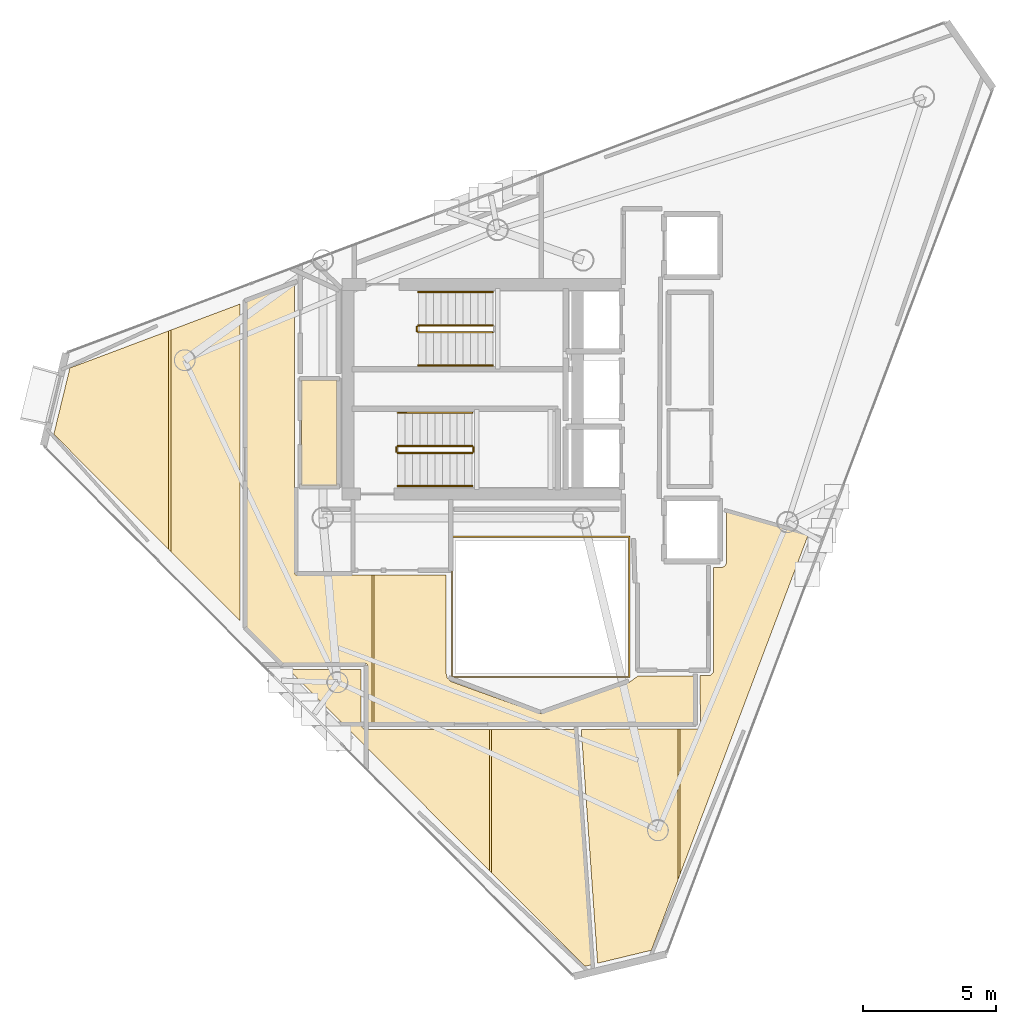
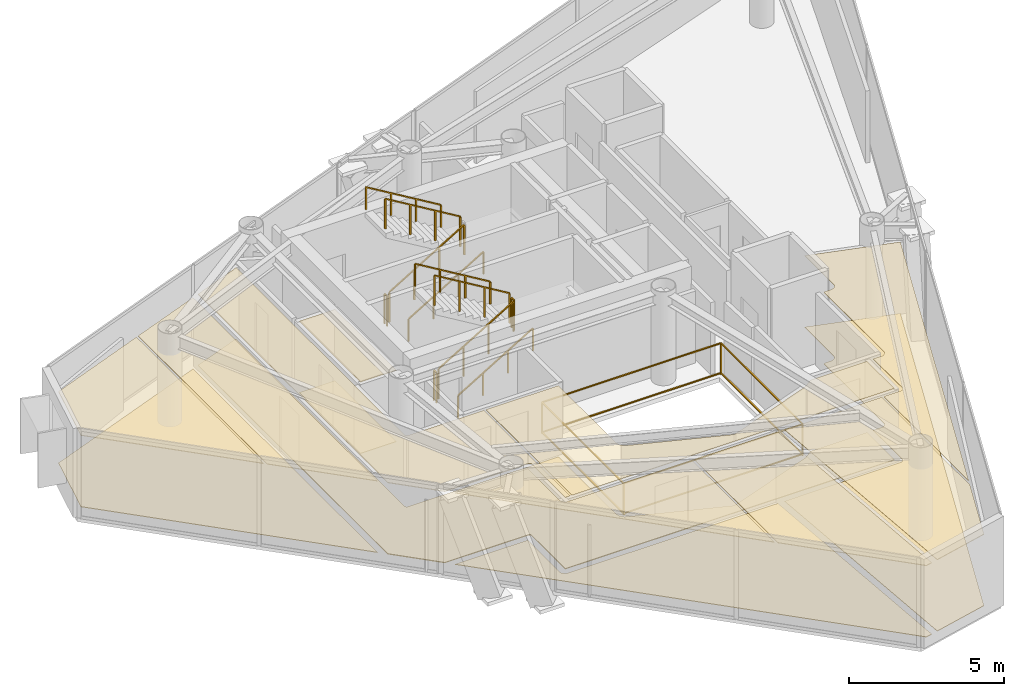
# One storey, part 18 of 19: 14 coverings, 12 railings.
"""IFC4 building model written with IfcOpenShell, lengths in metres."""

from ifc_helpers import new_model, si_unit, direction, frame, origin, origin_2d, place, context, subcontext, project, spatial, polyline, rectangle, outline, extrude, material, layer, layer_set, type_object, element, save


model = new_model("IFC4")

# Units and contexts
model_context = context("Model", 3, precision=1e-05, world=origin(), true_north=direction((0.0, 1.0)))
body_context = subcontext(model_context, "Body", "Model", "MODEL_VIEW")
ifc_project = project(units=[si_unit("LENGTHUNIT", "METRE"), si_unit("AREAUNIT", "SQUARE_METRE"), si_unit("VOLUMEUNIT", "CUBIC_METRE"), si_unit("PLANEANGLEUNIT", "RADIAN"), si_unit("MASSUNIT", "GRAM", prefix="KILO")], contexts=[model_context])

# Site, building, storey
site_placement = place(None, origin())
site = spatial("IfcSite", under=ifc_project, at=site_placement, CompositionType="ELEMENT")
building_placement = place(site_placement, origin())
building = spatial("IfcBuilding", under=site, at=building_placement, Name="Qianvela Tower", CompositionType="ELEMENT")
storey_placement = place(building_placement, frame((0.0, 0.0, 340.699951171875)))
storey = spatial("IfcBuildingStorey", under=building, at=storey_placement, Name="L88", CompositionType="ELEMENT", Elevation=340.699951171875)

# Coverings
ifc_material_1 = material(Name="Perforated Mineral Acoustic Ceiling Tile")
ifc_layer_1 = layer(ifc_material_1, 0.02490234375)
ifc_layer_set_1 = layer_set([ifc_layer_1], Name="Perforated Mineral Acoustic Ceiling Tile")
covering_type_1 = type_object("IfcCoveringType", Name="COV-CEIL-ACOUSTIC-25", PredefinedType="CEILING", material=ifc_layer_set_1)
covering_1_placement = place(storey_placement, frame((0.0, 0.0, 2.81494140625)))
element("IfcCovering", 1, at=covering_1_placement, inside=storey, type_object=covering_type_1, Name="L88 Acoustic Ceiling L88 Core Tea Pantry West", PredefinedType="CEILING", context=body_context, shape_type="SweptSolid", body=[
    extrude(outline(polyline([(27.800048828125, 25.080078125), (27.800048828125, 29.0400390625), (29.139892578125, 29.0400390625), (29.139892578125, 25.080078125), (27.800048828125, 25.080078125)])), origin(), (0.0, 0.0, 1.0), 0.025146484375),
])
covering_2_placement = place(storey_placement, frame((0.0, 0.0, 2.81494140625)))
element("IfcCovering", 2, at=covering_2_placement, inside=storey, type_object=covering_type_1, Name="L88 Acoustic Ceiling Bay 1 L88 Floor Corridor", PredefinedType="CEILING", context=body_context, shape_type="SweptSolid", body=[
    extrude(outline(polyline([(30.280029296875, 16.1298828125), (30.280029296875, 18.300048828125), (30.279541015625, 18.307861328125), (30.278564453125, 18.315673828125), (30.276611328125, 18.3232421875), (30.27392578125, 18.33056640625), (30.2705078125, 18.337646484375), (30.2666015625, 18.344482421875), (30.26171875, 18.350830078125), (30.256591796875, 18.356689453125), (30.250732421875, 18.36181640625), (30.244384765625, 18.366455078125), (30.23779296875, 18.37060546875), (30.230712890625, 18.373779296875), (30.22314453125, 18.376708984375), (30.215576171875, 18.37841796875), (30.207763671875, 18.379638671875), (30.199951171875, 18.3798828125), (27.07861328125, 18.3798828125), (25.72998046875, 19.73046875), (25.72998046875, 31.99609375), (27.5400390625, 32.6767578125), (27.5400390625, 21.780029296875), (27.540283203125, 21.772216796875), (27.54150390625, 21.764404296875), (27.54345703125, 21.7568359375), (27.546142578125, 21.74951171875), (27.54931640625, 21.7421875), (27.553466796875, 21.735595703125), (27.55810546875, 21.729248046875), (27.5634765625, 21.723388671875), (27.569091796875, 21.71826171875), (27.57568359375, 21.71337890625), (27.582275390625, 21.70947265625), (27.58935546875, 21.7060546875), (27.5966796875, 21.703369140625), (27.6044921875, 21.701416015625), (27.6123046875, 21.700439453125), (27.6201171875, 21.699951171875), (30.454833984375, 21.699951171875), (30.454833984375, 16.1298828125), (30.280029296875, 16.1298828125)])), origin(), (0.0, 0.0, 1.0), 0.025146484375),
])
covering_3_placement = place(storey_placement, frame((0.0, 0.0, 2.81494140625)))
element("IfcCovering", 3, at=covering_3_placement, inside=storey, type_object=covering_type_1, Name="L88 Acoustic Ceiling Bay 2 L88 Floor Corridor", PredefinedType="CEILING", context=body_context, shape_type="SweptSolid", body=[
    extrude(outline(polyline([(36.780517578125, 16.48046875), (36.7880859375, 16.47900390625), (36.7958984375, 16.47802734375), (36.8037109375, 16.47802734375), (36.811767578125, 16.47900390625), (36.8193359375, 16.48046875), (36.826904296875, 16.482666015625), (40.134033203125, 17.666015625), (40.140869140625, 17.668701171875), (40.1474609375, 17.672119140625), (40.153564453125, 17.676025390625), (40.458740234375, 17.89306640625), (42.570068359375, 17.899658203125), (42.570068359375, 16.1298828125), (30.534912109375, 16.1298828125), (30.534912109375, 21.699951171875), (33.239990234375, 21.699951171875), (33.239990234375, 18.0), (33.240478515625, 17.990234375), (33.242431640625, 17.980712890625), (33.275390625, 17.8486328125), (33.277587890625, 17.841064453125), (33.28076171875, 17.833740234375), (33.284423828125, 17.826904296875), (33.288818359375, 17.8203125), (33.293701171875, 17.814208984375), (33.38525390625, 17.71337890625), (33.390625, 17.7080078125), (33.396728515625, 17.702880859375), (33.4033203125, 17.698486328125), (33.41015625, 17.69482421875), (33.417236328125, 17.69189453125), (36.77294921875, 16.482666015625), (36.780517578125, 16.48046875)])), origin(), (0.0, 0.0, 1.0), 0.025146484375),
])
covering_4_placement = place(storey_placement, frame((0.0, 0.0, 2.81494140625)))
element("IfcCovering", 4, at=covering_4_placement, inside=storey, type_object=covering_type_1, Name="L88 Acoustic Ceiling Bay 1 Student Reading Library L88-01", PredefinedType="CEILING", context=body_context, shape_type="SweptSolid", body=[
    extrude(outline(polyline([(30.0400390625, 18.139892578125), (30.0400390625, 16.050048828125), (30.040283203125, 16.042236328125), (30.04150390625, 16.034423828125), (30.04345703125, 16.02685546875), (30.046142578125, 16.019287109375), (30.04931640625, 16.01220703125), (30.053466796875, 16.005615234375), (30.05810546875, 15.999267578125), (30.12255859375, 15.9208984375), (30.127685546875, 15.9150390625), (30.133544921875, 15.90966796875), (30.139892578125, 15.905029296875), (30.146728515625, 15.90087890625), (30.15380859375, 15.897705078125), (30.1611328125, 15.89501953125), (30.168701171875, 15.89306640625), (30.176513671875, 15.891845703125), (30.184326171875, 15.8916015625), (34.879150390625, 15.890625), (34.879150390625, 10.568359375), (27.318115234375, 18.139892578125), (30.0400390625, 18.139892578125)])), origin(), (0.0, 0.0, 1.0), 0.025146484375),
])
covering_5_placement = place(storey_placement, frame((0.0, 0.0, 2.81494140625)))
element("IfcCovering", 5, at=covering_5_placement, inside=storey, type_object=covering_type_1, Name="L88 Acoustic Ceiling Bay 2 Student Reading Library L88-01", PredefinedType="CEILING", context=body_context, shape_type="SweptSolid", body=[
    extrude(outline(polyline([(38.084716796875, 15.889892578125), (38.70458984375, 7.0263671875), (38.472412109375, 6.97021484375), (34.959228515625, 10.48828125), (34.959228515625, 15.890625), (38.084716796875, 15.889892578125)])), origin(), (0.0, 0.0, 1.0), 0.025146484375),
])
covering_6_placement = place(storey_placement, frame((0.0, 0.0, 2.81494140625)))
element("IfcCovering", 6, at=covering_6_placement, inside=storey, type_object=covering_type_1, Name="L88 Acoustic Ceiling Bay 1 Media Practice Cinema L88-02", PredefinedType="CEILING", context=body_context, shape_type="SweptSolid", body=[
    extrude(outline(polyline([(41.9638671875, 15.9052734375), (41.9638671875, 10.20751953125), (40.96923828125, 7.5732421875), (38.945068359375, 7.08447265625), (38.3291015625, 15.890380859375), (41.9638671875, 15.9052734375)])), origin(), (0.0, 0.0, 1.0), 0.025146484375),
])
covering_7_placement = place(storey_placement, frame((0.0, 0.0, 2.81494140625)))
element("IfcCovering", 7, at=covering_7_placement, inside=storey, type_object=covering_type_1, Name="L88 Acoustic Ceiling Bay 2 Media Practice Cinema L88-02", PredefinedType="CEILING", context=body_context, shape_type="SweptSolid", body=[
    extrude(outline(polyline([(42.701171875, 15.908203125), (42.709228515625, 15.90869140625), (42.71728515625, 15.909912109375), (42.72509765625, 15.912109375), (42.73291015625, 15.914794921875), (42.740234375, 15.918701171875), (42.7470703125, 15.9228515625), (42.75341796875, 15.927978515625), (42.759521484375, 15.93359375), (42.7646484375, 15.93994140625), (42.769287109375, 15.94677734375), (42.773193359375, 15.9541015625), (42.80224609375, 16.015869140625), (42.80517578125, 16.022216796875), (42.80712890625, 16.029052734375), (42.808837890625, 16.035888671875), (42.809814453125, 16.04296875), (42.81005859375, 16.050048828125), (42.8076171875, 17.920166015625), (43.157958984375, 17.92041015625), (43.165771484375, 17.9208984375), (43.173583984375, 17.921875), (43.18115234375, 17.923828125), (43.1884765625, 17.926513671875), (43.195556640625, 17.9296875), (43.202392578125, 17.933837890625), (43.20849609375, 17.938720703125), (43.21435546875, 17.94384765625), (43.2861328125, 18.015625), (43.29150390625, 18.021484375), (43.296142578125, 18.027587890625), (43.30029296875, 18.034423828125), (43.303466796875, 18.04150390625), (43.30615234375, 18.048828125), (43.30810546875, 18.056640625), (43.30908203125, 18.064208984375), (43.3095703125, 18.072265625), (43.309326171875, 21.980712890625), (43.60791015625, 21.982666015625), (43.615478515625, 21.983154296875), (43.623291015625, 21.984375), (43.630859375, 21.986083984375), (43.637939453125, 21.98876953125), (43.64501953125, 21.9921875), (43.716796875, 22.030517578125), (43.723388671875, 22.034423828125), (43.729736328125, 22.039306640625), (43.735595703125, 22.04443359375), (43.74072265625, 22.05029296875), (43.74560546875, 22.056640625), (43.74951171875, 22.063232421875), (43.787841796875, 22.135009765625), (43.791259765625, 22.14208984375), (43.7939453125, 22.1494140625), (43.7958984375, 22.156982421875), (43.796875, 22.164794921875), (43.79736328125, 22.172607421875), (43.7998046875, 24.066650390625), (46.865234375, 23.1875), (42.0439453125, 10.419189453125), (42.0439453125, 15.905517578125), (42.701171875, 15.908203125)])), origin(), (0.0, 0.0, 1.0), 0.025146484375),
])
covering_8_placement = place(storey_placement, frame((0.0, 0.0, 2.81494140625)))
element("IfcCovering", 8, at=covering_8_placement, inside=storey, type_object=covering_type_1, Name="L88 Acoustic Ceiling Bay 1 Panoramic Study Lounge L88-03", PredefinedType="CEILING", context=body_context, shape_type="SweptSolid", body=[
    extrude(outline(polyline([(18.4716796875, 26.998779296875), (19.077880859375, 29.494873046875), (22.79443359375, 30.892333984375), (22.79443359375, 22.670166015625), (18.4716796875, 26.998779296875)])), origin(), (0.0, 0.0, 1.0), 0.025146484375),
])
covering_9_placement = place(storey_placement, frame((0.0, 0.0, 2.81494140625)))
element("IfcCovering", 9, at=covering_9_placement, inside=storey, type_object=covering_type_1, Name="L88 Acoustic Ceiling Bay 2 Panoramic Study Lounge L88-03", PredefinedType="CEILING", context=body_context, shape_type="SweptSolid", body=[
    extrude(outline(polyline([(25.489990234375, 19.970703125), (22.87451171875, 22.590087890625), (22.87451171875, 30.92236328125), (25.489990234375, 31.906005859375), (25.489990234375, 19.970703125)])), origin(), (0.0, 0.0, 1.0), 0.025146484375),
])
ifc_material_2 = material(Name="Engineered Acoustic Oak Timber Flooring", Category="wood")
ifc_layer_2 = layer(ifc_material_2, 0.02001953125)
ifc_layer_set_2 = layer_set([ifc_layer_2], Name="Engineered Acoustic Oak Timber Flooring")
covering_type_2 = type_object("IfcCoveringType", Name="COV-FLOOR-OAK-20", PredefinedType="FLOORING", material=ifc_layer_set_2)
covering_10_placement = place(storey_placement, origin())
element("IfcCovering", 10, at=covering_10_placement, inside=storey, type_object=covering_type_2, Name="L88 Finish Flooring L88 Core Tea Pantry West", PredefinedType="FLOORING", context=body_context, shape_type="SweptSolid", body=[
    extrude(outline(polyline([(27.800048828125, 25.080078125), (27.800048828125, 29.0400390625), (29.139892578125, 29.0400390625), (29.139892578125, 25.080078125), (27.800048828125, 25.080078125)])), origin(), (0.0, 0.0, 1.0), 0.02001953125),
])
covering_11_placement = place(storey_placement, origin())
element("IfcCovering", 11, at=covering_11_placement, inside=storey, type_object=covering_type_2, Name="L88 Finish Flooring Student Reading Library L88-01", PredefinedType="FLOORING", context=body_context, shape_type="SweptSolid", body=[
    extrude(outline(polyline([(27.318115234375, 18.139892578125), (30.0400390625, 18.139892578125), (30.0400390625, 16.050048828125), (30.040283203125, 16.042236328125), (30.04150390625, 16.034423828125), (30.04345703125, 16.02685546875), (30.046142578125, 16.019287109375), (30.04931640625, 16.01220703125), (30.053466796875, 16.005615234375), (30.05810546875, 15.999267578125), (30.12255859375, 15.9208984375), (30.127685546875, 15.9150390625), (30.133544921875, 15.90966796875), (30.139892578125, 15.905029296875), (30.146728515625, 15.90087890625), (30.15380859375, 15.897705078125), (30.1611328125, 15.89501953125), (30.168701171875, 15.89306640625), (30.176513671875, 15.891845703125), (30.184326171875, 15.8916015625), (38.084716796875, 15.889892578125), (38.70458984375, 7.0263671875), (38.472412109375, 6.97021484375), (27.318115234375, 18.139892578125)])), origin(), (0.0, 0.0, 1.0), 0.02001953125),
])
covering_12_placement = place(storey_placement, origin())
element("IfcCovering", 12, at=covering_12_placement, inside=storey, type_object=covering_type_2, Name="L88 Finish Flooring Media Practice Cinema L88-02", PredefinedType="FLOORING", context=body_context, shape_type="SweptSolid", body=[
    extrude(outline(polyline([(38.3291015625, 15.890380859375), (42.701171875, 15.908203125), (42.709228515625, 15.90869140625), (42.71728515625, 15.909912109375), (42.72509765625, 15.912109375), (42.73291015625, 15.914794921875), (42.740234375, 15.918701171875), (42.7470703125, 15.9228515625), (42.75341796875, 15.927978515625), (42.759521484375, 15.93359375), (42.7646484375, 15.93994140625), (42.769287109375, 15.94677734375), (42.773193359375, 15.9541015625), (42.80224609375, 16.015869140625), (42.80517578125, 16.022216796875), (42.80712890625, 16.029052734375), (42.808837890625, 16.035888671875), (42.809814453125, 16.04296875), (42.81005859375, 16.050048828125), (42.8076171875, 17.920166015625), (43.157958984375, 17.92041015625), (43.165771484375, 17.9208984375), (43.173583984375, 17.921875), (43.18115234375, 17.923828125), (43.1884765625, 17.926513671875), (43.195556640625, 17.9296875), (43.202392578125, 17.933837890625), (43.20849609375, 17.938720703125), (43.21435546875, 17.94384765625), (43.2861328125, 18.015625), (43.29150390625, 18.021484375), (43.296142578125, 18.027587890625), (43.30029296875, 18.034423828125), (43.303466796875, 18.04150390625), (43.30615234375, 18.048828125), (43.30810546875, 18.056640625), (43.30908203125, 18.064208984375), (43.3095703125, 18.072265625), (43.309326171875, 21.980712890625), (43.60791015625, 21.982666015625), (43.615478515625, 21.983154296875), (43.623291015625, 21.984375), (43.630859375, 21.986083984375), (43.637939453125, 21.98876953125), (43.64501953125, 21.9921875), (43.716796875, 22.030517578125), (43.723388671875, 22.034423828125), (43.729736328125, 22.039306640625), (43.735595703125, 22.04443359375), (43.74072265625, 22.05029296875), (43.74560546875, 22.056640625), (43.74951171875, 22.063232421875), (43.787841796875, 22.135009765625), (43.791259765625, 22.14208984375), (43.7939453125, 22.1494140625), (43.7958984375, 22.156982421875), (43.796875, 22.164794921875), (43.79736328125, 22.172607421875), (43.7998046875, 24.066650390625), (46.865234375, 23.1875), (40.96923828125, 7.5732421875), (38.945068359375, 7.08447265625), (38.3291015625, 15.890380859375)])), origin(), (0.0, 0.0, 1.0), 0.02001953125),
])
covering_13_placement = place(storey_placement, origin())
element("IfcCovering", 13, at=covering_13_placement, inside=storey, type_object=covering_type_2, Name="L88 Finish Flooring Panoramic Study Lounge L88-03", PredefinedType="FLOORING", context=body_context, shape_type="SweptSolid", body=[
    extrude(outline(polyline([(25.489990234375, 31.906005859375), (25.489990234375, 19.970703125), (18.4716796875, 26.998779296875), (19.077880859375, 29.494873046875), (25.489990234375, 31.906005859375)])), origin(), (0.0, 0.0, 1.0), 0.02001953125),
])
ifc_material_3 = material(Name="Honed Stone Terrazzo Flooring", Category="masonry")
ifc_layer_3 = layer(ifc_material_3, 0.030029296875)
ifc_layer_set_3 = layer_set([ifc_layer_3], Name="Honed Stone Terrazzo Flooring")
covering_type_3 = type_object("IfcCoveringType", Name="COV-FLOOR-TERRAZZO-30", PredefinedType="FLOORING", material=ifc_layer_set_3)
covering_14_placement = place(storey_placement, origin())
element("IfcCovering", 14, at=covering_14_placement, inside=storey, type_object=covering_type_3, Name="L88 Finish Flooring L88 Floor Corridor", PredefinedType="FLOORING", context=body_context, shape_type="SweptSolid", body=[
    extrude(outline(polyline([(36.77294921875, 16.482666015625), (36.780517578125, 16.48046875), (36.7880859375, 16.47900390625), (36.7958984375, 16.47802734375), (36.8037109375, 16.47802734375), (36.811767578125, 16.47900390625), (36.8193359375, 16.48046875), (36.826904296875, 16.482666015625), (40.134033203125, 17.666015625), (40.140869140625, 17.668701171875), (40.1474609375, 17.672119140625), (40.153564453125, 17.676025390625), (40.458740234375, 17.89306640625), (42.570068359375, 17.899658203125), (42.570068359375, 16.1298828125), (30.280029296875, 16.1298828125), (30.280029296875, 18.300048828125), (30.279541015625, 18.307861328125), (30.278564453125, 18.315673828125), (30.276611328125, 18.3232421875), (30.27392578125, 18.33056640625), (30.2705078125, 18.337646484375), (30.2666015625, 18.344482421875), (30.26171875, 18.350830078125), (30.256591796875, 18.356689453125), (30.250732421875, 18.36181640625), (30.244384765625, 18.366455078125), (30.23779296875, 18.37060546875), (30.230712890625, 18.373779296875), (30.22314453125, 18.376708984375), (30.215576171875, 18.37841796875), (30.207763671875, 18.379638671875), (30.199951171875, 18.3798828125), (27.07861328125, 18.3798828125), (25.72998046875, 19.73046875), (25.72998046875, 31.99609375), (27.5400390625, 32.6767578125), (27.5400390625, 21.780029296875), (27.540283203125, 21.772216796875), (27.54150390625, 21.764404296875), (27.54345703125, 21.7568359375), (27.546142578125, 21.74951171875), (27.54931640625, 21.7421875), (27.553466796875, 21.735595703125), (27.55810546875, 21.729248046875), (27.5634765625, 21.723388671875), (27.569091796875, 21.71826171875), (27.57568359375, 21.71337890625), (27.582275390625, 21.70947265625), (27.58935546875, 21.7060546875), (27.5966796875, 21.703369140625), (27.6044921875, 21.701416015625), (27.6123046875, 21.700439453125), (27.6201171875, 21.699951171875), (33.239990234375, 21.699951171875), (33.239990234375, 18.0), (33.240478515625, 17.990234375), (33.242431640625, 17.980712890625), (33.275390625, 17.8486328125), (33.277587890625, 17.841064453125), (33.28076171875, 17.833740234375), (33.284423828125, 17.826904296875), (33.288818359375, 17.8203125), (33.293701171875, 17.814208984375), (33.38525390625, 17.71337890625), (33.390625, 17.7080078125), (33.396728515625, 17.702880859375), (33.4033203125, 17.698486328125), (33.41015625, 17.69482421875), (33.417236328125, 17.69189453125), (36.77294921875, 16.482666015625)])), origin(), (0.0, 0.0, 1.0), 0.030029296875),
])

# Railings
ifc_material_4 = material(Name="Laminated Safety Glass and Stainless Steel 316", Category="steel")
railing_type_1 = type_object("IfcRailingType", Name="RL-ATRIUM-GUARD-1250", PredefinedType="GUARDRAIL", material=ifc_material_4)
railing_1_placement = place(storey_placement, frame((33.4599609375, 17.860107421875, 0.0)))
element("IfcRailing", 15, at=railing_1_placement, inside=storey, type_object=railing_type_1, Name="L88 Atrium Edge Guardrail 1", PredefinedType="GUARDRAIL", context=body_context, shape_type="SweptSolid", body=[
    extrude(rectangle(XDim=0.050048828125, YDim=0.0400390625, at=origin_2d()), frame((0.0, 0.0, 1.22998046875), z_axis=(0.0, 1.0, 0.0), x_axis=(-1.0, 0.0, 0.0)), (0.0, 0.0, 1.0), 5.27978515625),
    extrude(rectangle(XDim=0.050048828125, YDim=0.0400390625, at=origin_2d()), frame((0.0, 0.0, 0.050048828125), z_axis=(0.0, 1.0, 0.0), x_axis=(-1.0, 0.0, 0.0)), (0.0, 0.0, 1.0), 5.27978515625),
    extrude(rectangle(XDim=0.050048828125, YDim=0.0400390625, at=origin_2d()), frame((0.0, 5.27978515625, 1.22998046875), z_axis=(1.0, 0.0, 0.0), x_axis=(0.0, 1.0, 0.0)), (0.0, 0.0, 1.0), 6.679931640625),
    extrude(rectangle(XDim=0.050048828125, YDim=0.0400390625, at=origin_2d()), frame((0.0, 5.27978515625, 0.050048828125), z_axis=(1.0, 0.0, 0.0), x_axis=(0.0, 1.0, 0.0)), (0.0, 0.0, 1.0), 6.679931640625),
    extrude(rectangle(XDim=0.050048828125, YDim=0.0400390625, at=origin_2d()), frame((6.679931640625, 5.27978515625, 1.22998046875), z_axis=(0.0, -1.0, 0.0), x_axis=(1.0, 0.0, 0.0)), (0.0, 0.0, 1.0), 5.27978515625),
    extrude(rectangle(XDim=0.050048828125, YDim=0.0400390625, at=origin_2d()), frame((6.679931640625, 5.27978515625, 0.050048828125), z_axis=(0.0, -1.0, 0.0), x_axis=(1.0, 0.0, 0.0)), (0.0, 0.0, 1.0), 5.27978515625),
    extrude(rectangle(XDim=0.050048828125, YDim=0.0400390625, at=origin_2d()), frame((6.679931640625, 0.0, 1.22998046875), z_axis=(-1.0, 0.0, 0.0), x_axis=(0.0, -1.0, 0.0)), (0.0, 0.0, 1.0), 6.679931640625),
    extrude(rectangle(XDim=0.050048828125, YDim=0.0400390625, at=origin_2d()), frame((6.679931640625, 0.0, 0.050048828125), z_axis=(-1.0, 0.0, 0.0), x_axis=(0.0, -1.0, 0.0)), (0.0, 0.0, 1.0), 6.679931640625),
    extrude(rectangle(XDim=0.050048828125, YDim=0.050048828125, at=origin_2d()), origin(), (0.0, 0.0, 1.0), 1.2099609375),
    extrude(rectangle(XDim=0.050048828125, YDim=0.050048828125, at=origin_2d()), frame((0.0, 5.27978515625, 0.0)), (0.0, 0.0, 1.0), 1.2099609375),
    extrude(rectangle(XDim=0.050048828125, YDim=0.050048828125, at=origin_2d()), frame((6.679931640625, 5.27978515625, 0.0)), (0.0, 0.0, 1.0), 1.2099609375),
    extrude(rectangle(XDim=0.050048828125, YDim=0.050048828125, at=origin_2d()), frame((6.679931640625, 0.0, 0.0)), (0.0, 0.0, 1.0), 1.2099609375),
])
ifc_material_5 = material(Name="Painted Tubular Steel Q355B", Category="steel")
railing_type_2 = type_object("IfcRailingType", Name="RL-STAIR-GUARD-1200", PredefinedType="GUARDRAIL", material=ifc_material_5)
railing_2_placement = place(storey_placement, frame((32.199951171875, 30.840087890625, 0.168212890625)))
element("IfcRailing", 16, at=railing_2_placement, inside=storey, type_object=railing_type_2, Name="L88 ST-1 stair guard 1", PredefinedType="GUARDRAIL", context=body_context, shape_type="SweptSolid", body=[
    extrude(rectangle(XDim=0.050048828125, YDim=0.0400390625, at=origin_2d()), frame((0.0, 0.0, 1.179931640625), z_axis=(0.857242210791, 0.0, 0.514913383045), x_axis=(0.0, 1.0, 0.0)), (0.0, 0.0, 1.0), 3.266357421875),
    extrude(rectangle(XDim=0.050048828125, YDim=0.050048828125, at=origin_2d()), origin(), (0.0, 0.0, 1.0), 1.159912109375),
    extrude(rectangle(XDim=0.050048828125, YDim=0.050048828125, at=origin_2d()), frame((0.933349609375, 0.0, 0.560546875)), (0.0, 0.0, 1.0), 1.159912109375),
    extrude(rectangle(XDim=0.050048828125, YDim=0.050048828125, at=origin_2d()), frame((1.86669921875, 0.0, 1.121337890625)), (0.0, 0.0, 1.0), 1.159912109375),
    extrude(rectangle(XDim=0.050048828125, YDim=0.050048828125, at=origin_2d()), frame((2.800048828125, 0.0, 1.681884765625)), (0.0, 0.0, 1.0), 1.159912109375),
])
railing_3_placement = place(storey_placement, frame((35.0, 31.10009765625, 2.018310546875)))
element("IfcRailing", 17, at=railing_3_placement, inside=storey, type_object=railing_type_2, Name="L88 ST-1 stair guard 3", PredefinedType="GUARDRAIL", context=body_context, shape_type="SweptSolid", body=[
    extrude(rectangle(XDim=0.050048828125, YDim=0.0400390625, at=origin_2d()), frame((0.0, 0.0, 1.179931640625), z_axis=(-0.857275202839, 0.0, 0.514858452973), x_axis=(0.0, -1.0, 0.0)), (0.0, 0.0, 1.0), 3.26611328125),
    extrude(rectangle(XDim=0.050048828125, YDim=0.050048828125, at=origin_2d()), origin(), (0.0, 0.0, 1.0), 1.159912109375),
    extrude(rectangle(XDim=0.050048828125, YDim=0.050048828125, at=origin_2d()), frame((-0.933349609375, 0.0, 0.560546875)), (0.0, 0.0, 1.0), 1.159912109375),
    extrude(rectangle(XDim=0.050048828125, YDim=0.050048828125, at=origin_2d()), frame((-1.86669921875, 0.0, 1.12109375)), (0.0, 0.0, 1.0), 1.159912109375),
    extrude(rectangle(XDim=0.050048828125, YDim=0.050048828125, at=origin_2d()), frame((-2.800048828125, 0.0, 1.681640625)), (0.0, 0.0, 1.0), 1.159912109375),
])
railing_4_placement = place(storey_placement, frame((32.14990234375, 30.889892578125, 0.0)))
element("IfcRailing", 18, at=railing_4_placement, inside=storey, type_object=railing_type_2, Name="L88 ST-1 stair guard 4", PredefinedType="GUARDRAIL", context=body_context, shape_type="SweptSolid", body=[
    extrude(rectangle(XDim=0.050048828125, YDim=0.0400390625, at=origin_2d()), frame((0.0, 0.0, 1.179931640625), z_axis=(0.0, 1.0, 0.0), x_axis=(-1.0, 0.0, 0.0)), (0.0, 0.0, 1.0), 0.16015625),
    extrude(rectangle(XDim=0.050048828125, YDim=0.050048828125, at=origin_2d()), origin(), (0.0, 0.0, 1.0), 1.159912109375),
    extrude(rectangle(XDim=0.050048828125, YDim=0.050048828125, at=origin_2d()), frame((0.0, 0.16015625, 0.0)), (0.0, 0.0, 1.0), 1.159912109375),
])
railing_5_placement = place(storey_placement, frame((31.419921875, 26.300048828125, 0.168212890625)))
element("IfcRailing", 19, at=railing_5_placement, inside=storey, type_object=railing_type_2, Name="L88 ST-2 stair guard 1", PredefinedType="GUARDRAIL", context=body_context, shape_type="SweptSolid", body=[
    extrude(rectangle(XDim=0.050048828125, YDim=0.0400390625, at=origin_2d()), frame((0.0, 0.0, 1.179931640625), z_axis=(0.857242210791, 0.0, 0.514913383045), x_axis=(0.0, 1.0, 0.0)), (0.0, 0.0, 1.0), 3.266357421875),
    extrude(rectangle(XDim=0.050048828125, YDim=0.050048828125, at=origin_2d()), origin(), (0.0, 0.0, 1.0), 1.159912109375),
    extrude(rectangle(XDim=0.050048828125, YDim=0.050048828125, at=origin_2d()), frame((0.933349609375, 0.0, 0.560546875)), (0.0, 0.0, 1.0), 1.159912109375),
    extrude(rectangle(XDim=0.050048828125, YDim=0.050048828125, at=origin_2d()), frame((1.86669921875, 0.0, 1.121337890625)), (0.0, 0.0, 1.0), 1.159912109375),
    extrude(rectangle(XDim=0.050048828125, YDim=0.050048828125, at=origin_2d()), frame((2.800048828125, 0.0, 1.681884765625)), (0.0, 0.0, 1.0), 1.159912109375),
])
railing_6_placement = place(storey_placement, frame((34.27001953125, 26.35009765625, 1.85009765625)))
element("IfcRailing", 20, at=railing_6_placement, inside=storey, type_object=railing_type_2, Name="L88 ST-2 stair guard 2", PredefinedType="GUARDRAIL", context=body_context, shape_type="SweptSolid", body=[
    extrude(rectangle(XDim=0.050048828125, YDim=0.0400390625, at=origin_2d()), frame((0.0, 0.0, 1.179931640625), z_axis=(0.0, 1.0, 0.0), x_axis=(-1.0, 0.0, 0.0)), (0.0, 0.0, 1.0), 0.159912109375),
    extrude(rectangle(XDim=0.050048828125, YDim=0.050048828125, at=origin_2d()), origin(), (0.0, 0.0, 1.0), 1.159912109375),
    extrude(rectangle(XDim=0.050048828125, YDim=0.050048828125, at=origin_2d()), frame((0.0, 0.159912109375, 0.0)), (0.0, 0.0, 1.0), 1.159912109375),
])
railing_7_placement = place(storey_placement, frame((34.219970703125, 26.56005859375, 2.018310546875)))
element("IfcRailing", 21, at=railing_7_placement, inside=storey, type_object=railing_type_2, Name="L88 ST-2 stair guard 3", PredefinedType="GUARDRAIL", context=body_context, shape_type="SweptSolid", body=[
    extrude(rectangle(XDim=0.050048828125, YDim=0.0400390625, at=origin_2d()), frame((0.0, 0.0, 1.179931640625), z_axis=(-0.857275202839, 0.0, 0.514858452973), x_axis=(0.0, -1.0, 0.0)), (0.0, 0.0, 1.0), 3.26611328125),
    extrude(rectangle(XDim=0.050048828125, YDim=0.050048828125, at=origin_2d()), origin(), (0.0, 0.0, 1.0), 1.159912109375),
    extrude(rectangle(XDim=0.050048828125, YDim=0.050048828125, at=origin_2d()), frame((-0.933349609375, 0.0, 0.560546875)), (0.0, 0.0, 1.0), 1.159912109375),
    extrude(rectangle(XDim=0.050048828125, YDim=0.050048828125, at=origin_2d()), frame((-1.86669921875, 0.0, 1.12109375)), (0.0, 0.0, 1.0), 1.159912109375),
    extrude(rectangle(XDim=0.050048828125, YDim=0.050048828125, at=origin_2d()), frame((-2.800048828125, 0.0, 1.681640625)), (0.0, 0.0, 1.0), 1.159912109375),
])
railing_8_placement = place(storey_placement, frame((31.3701171875, 26.35009765625, 0.0)))
element("IfcRailing", 22, at=railing_8_placement, inside=storey, type_object=railing_type_2, Name="L88 ST-2 stair guard 4", PredefinedType="GUARDRAIL", context=body_context, shape_type="SweptSolid", body=[
    extrude(rectangle(XDim=0.050048828125, YDim=0.0400390625, at=origin_2d()), frame((0.0, 0.0, 1.179931640625), z_axis=(0.0, 1.0, 0.0), x_axis=(-1.0, 0.0, 0.0)), (0.0, 0.0, 1.0), 0.159912109375),
    extrude(rectangle(XDim=0.050048828125, YDim=0.050048828125, at=origin_2d()), origin(), (0.0, 0.0, 1.0), 1.159912109375),
    extrude(rectangle(XDim=0.050048828125, YDim=0.050048828125, at=origin_2d()), frame((0.0, 0.159912109375, 0.0)), (0.0, 0.0, 1.0), 1.159912109375),
])
ifc_material_6 = material(Name="Brushed Stainless Steel 304", Category="steel")
railing_type_3 = type_object("IfcRailingType", Name="RL-STAIR-HANDRAIL-900", PredefinedType="HANDRAIL", material=ifc_material_6)
railing_9_placement = place(storey_placement, frame((32.199951171875, 29.590087890625, 0.168212890625)))
element("IfcRailing", 23, at=railing_9_placement, inside=storey, type_object=railing_type_3, Name="L88 ST-1 stair handrail 1", PredefinedType="HANDRAIL", context=body_context, shape_type="SweptSolid", body=[
    extrude(rectangle(XDim=0.050048828125, YDim=0.0400390625, at=origin_2d()), frame((0.0, 0.0, 0.8798828125), z_axis=(0.857242210791, 0.0, 0.514913383045), x_axis=(0.0, 1.0, 0.0)), (0.0, 0.0, 1.0), 3.266357421875),
    extrude(rectangle(XDim=0.050048828125, YDim=0.050048828125, at=origin_2d()), origin(), (0.0, 0.0, 1.0), 0.85986328125),
    extrude(rectangle(XDim=0.050048828125, YDim=0.050048828125, at=origin_2d()), frame((0.933349609375, 0.0, 0.560546875)), (0.0, 0.0, 1.0), 0.85986328125),
    extrude(rectangle(XDim=0.050048828125, YDim=0.050048828125, at=origin_2d()), frame((1.86669921875, 0.0, 1.121337890625)), (0.0, 0.0, 1.0), 0.85986328125),
    extrude(rectangle(XDim=0.050048828125, YDim=0.050048828125, at=origin_2d()), frame((2.800048828125, 0.0, 1.681884765625)), (0.0, 0.0, 1.0), 0.85986328125),
])
railing_10_placement = place(storey_placement, frame((35.0, 32.35009765625, 2.018310546875)))
element("IfcRailing", 24, at=railing_10_placement, inside=storey, type_object=railing_type_3, Name="L88 ST-1 stair handrail 2", PredefinedType="HANDRAIL", context=body_context, shape_type="SweptSolid", body=[
    extrude(rectangle(XDim=0.050048828125, YDim=0.0400390625, at=origin_2d()), frame((0.0, 0.0, 0.8798828125), z_axis=(-0.857275202839, 0.0, 0.514858452973), x_axis=(0.0, -1.0, 0.0)), (0.0, 0.0, 1.0), 3.26611328125),
    extrude(rectangle(XDim=0.050048828125, YDim=0.050048828125, at=origin_2d()), origin(), (0.0, 0.0, 1.0), 0.85986328125),
    extrude(rectangle(XDim=0.050048828125, YDim=0.050048828125, at=origin_2d()), frame((-0.933349609375, 0.0, 0.560546875)), (0.0, 0.0, 1.0), 0.85986328125),
    extrude(rectangle(XDim=0.050048828125, YDim=0.050048828125, at=origin_2d()), frame((-1.86669921875, 0.0, 1.12109375)), (0.0, 0.0, 1.0), 0.85986328125),
    extrude(rectangle(XDim=0.050048828125, YDim=0.050048828125, at=origin_2d()), frame((-2.800048828125, 0.0, 1.681640625)), (0.0, 0.0, 1.0), 0.85986328125),
])
railing_11_placement = place(storey_placement, frame((31.419921875, 25.050048828125, 0.168212890625)))
element("IfcRailing", 25, at=railing_11_placement, inside=storey, type_object=railing_type_3, Name="L88 ST-2 stair handrail 1", PredefinedType="HANDRAIL", context=body_context, shape_type="SweptSolid", body=[
    extrude(rectangle(XDim=0.050048828125, YDim=0.0400390625, at=origin_2d()), frame((0.0, 0.0, 0.8798828125), z_axis=(0.857242210791, 0.0, 0.514913383045), x_axis=(0.0, 1.0, 0.0)), (0.0, 0.0, 1.0), 3.266357421875),
    extrude(rectangle(XDim=0.050048828125, YDim=0.050048828125, at=origin_2d()), origin(), (0.0, 0.0, 1.0), 0.85986328125),
    extrude(rectangle(XDim=0.050048828125, YDim=0.050048828125, at=origin_2d()), frame((0.933349609375, 0.0, 0.560546875)), (0.0, 0.0, 1.0), 0.85986328125),
    extrude(rectangle(XDim=0.050048828125, YDim=0.050048828125, at=origin_2d()), frame((1.86669921875, 0.0, 1.121337890625)), (0.0, 0.0, 1.0), 0.85986328125),
    extrude(rectangle(XDim=0.050048828125, YDim=0.050048828125, at=origin_2d()), frame((2.800048828125, 0.0, 1.681884765625)), (0.0, 0.0, 1.0), 0.85986328125),
])
railing_12_placement = place(storey_placement, frame((34.219970703125, 27.81005859375, 2.018310546875)))
element("IfcRailing", 26, at=railing_12_placement, inside=storey, type_object=railing_type_3, Name="L88 ST-2 stair handrail 2", PredefinedType="HANDRAIL", context=body_context, shape_type="SweptSolid", body=[
    extrude(rectangle(XDim=0.050048828125, YDim=0.0400390625, at=origin_2d()), frame((0.0, 0.0, 0.8798828125), z_axis=(-0.857275202839, 0.0, 0.514858452973), x_axis=(0.0, -1.0, 0.0)), (0.0, 0.0, 1.0), 3.26611328125),
    extrude(rectangle(XDim=0.050048828125, YDim=0.050048828125, at=origin_2d()), origin(), (0.0, 0.0, 1.0), 0.85986328125),
    extrude(rectangle(XDim=0.050048828125, YDim=0.050048828125, at=origin_2d()), frame((-0.933349609375, 0.0, 0.560546875)), (0.0, 0.0, 1.0), 0.85986328125),
    extrude(rectangle(XDim=0.050048828125, YDim=0.050048828125, at=origin_2d()), frame((-1.86669921875, 0.0, 1.12109375)), (0.0, 0.0, 1.0), 0.85986328125),
    extrude(rectangle(XDim=0.050048828125, YDim=0.050048828125, at=origin_2d()), frame((-2.800048828125, 0.0, 1.681640625)), (0.0, 0.0, 1.0), 0.85986328125),
])

save(model, "model.ifc")
